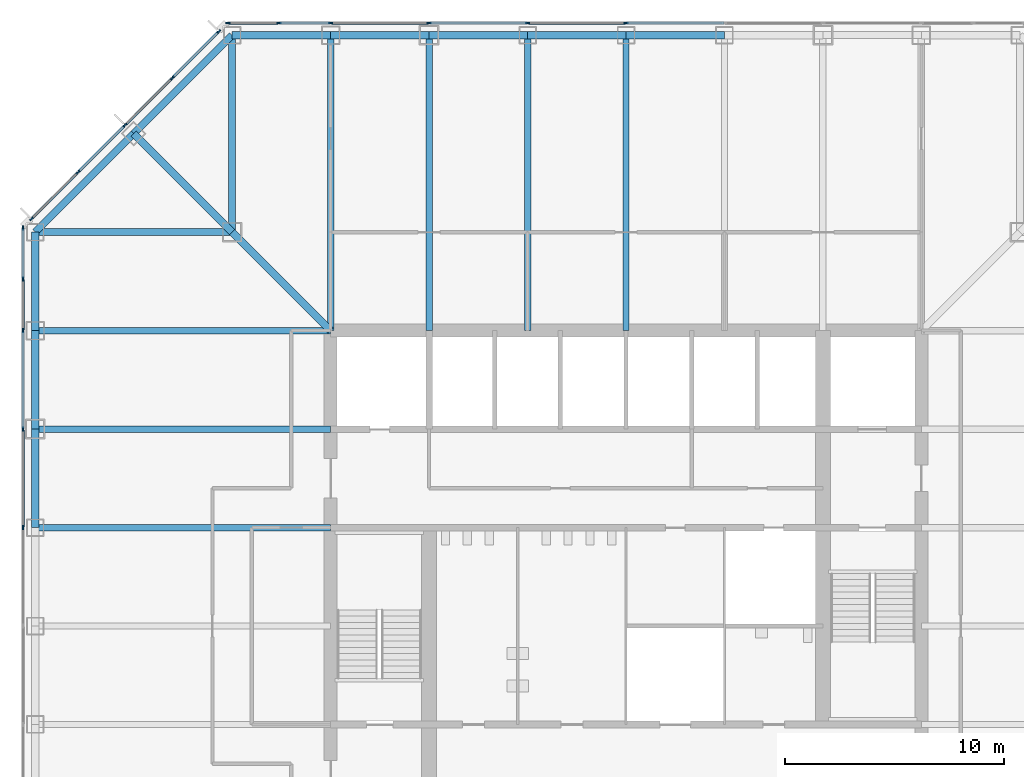
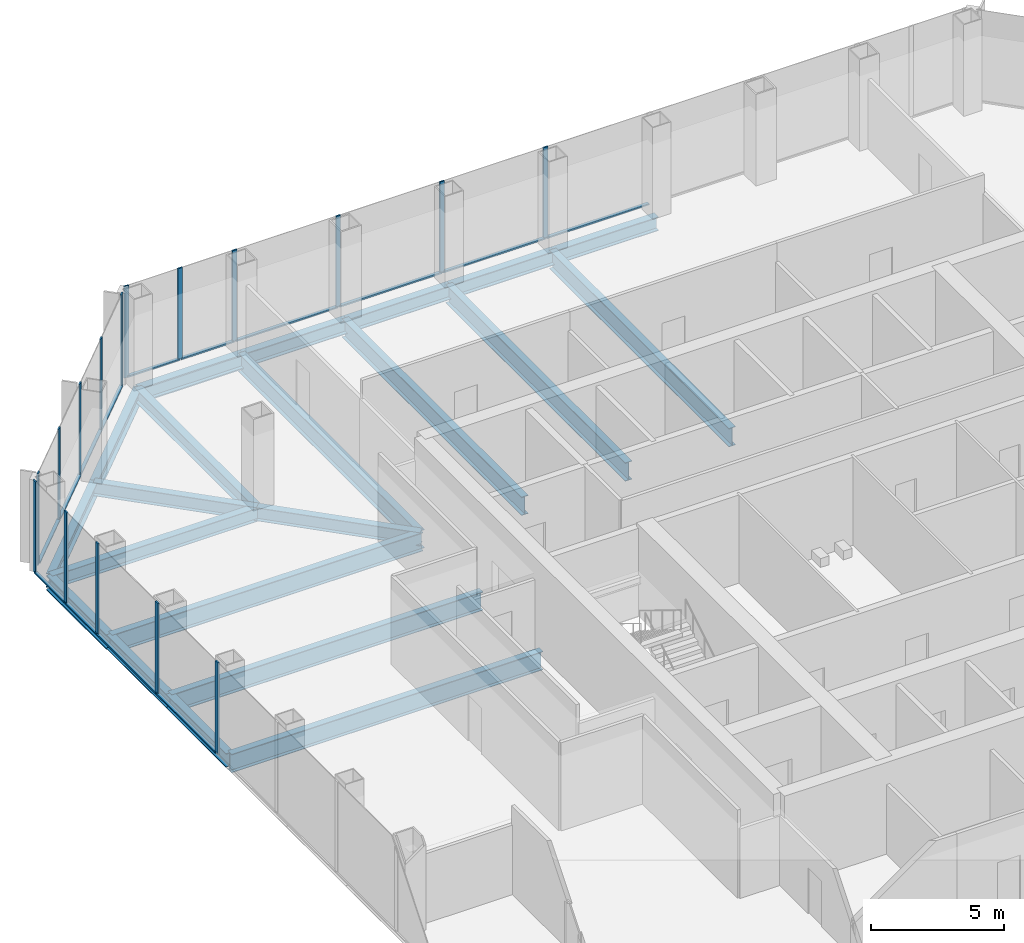
# One storey, part 5 of 12: 30 members, 21 beams, 3 elements without a shape of their own.
"""IFC4 building model written with IfcOpenShell, lengths in metres."""

from ifc_helpers import new_model, si_unit, direction, frame, origin, origin_2d, place, context, subcontext, project, spatial, rectangle, i_section, extrude, material, material_profile, profile_set, type_object, element, aggregate, save


model = new_model("IFC4")

# Units and contexts
model_context = context("Model", 3, precision=1e-05, world=origin(), true_north=direction((0.0, 1.0)))
body_context = subcontext(model_context, "Body", "Model", "MODEL_VIEW")
ifc_project = project(units=[si_unit("LENGTHUNIT", "METRE"), si_unit("AREAUNIT", "SQUARE_METRE"), si_unit("VOLUMEUNIT", "CUBIC_METRE"), si_unit("PLANEANGLEUNIT", "RADIAN"), si_unit("MASSUNIT", "GRAM", prefix="KILO")], contexts=[model_context])

# Site, building, storey
site_placement = place(None, origin())
site = spatial("IfcSite", under=ifc_project, at=site_placement, CompositionType="ELEMENT")
building_placement = place(site_placement, origin())
building = spatial("IfcBuilding", under=site, at=building_placement, Name="Corais Broadcast Tower", CompositionType="ELEMENT")
storey_placement = place(building_placement, frame((0.0, 0.0, 54.199951171875)))
storey = spatial("IfcBuildingStorey", under=building, at=storey_placement, Name="L11", CompositionType="ELEMENT", Elevation=54.199951171875)

# Beams
ifc_material_1 = material(Name="Steel ASTM A572 Grade 50", Category="steel")
ifc_material_profile_1 = material_profile(ifc_material_1, i_section(OverallWidth=0.323974609375, OverallDepth=0.611083984375, WebThickness=0.0126953125, FlangeThickness=0.01904296875, at=origin_2d()), Name="W610x155")
ifc_profile_set_1 = profile_set([ifc_material_profile_1], Name="Steel ASTM A572 Grade 50")
beam_type_1 = type_object("IfcBeamType", Name="Chamfer tie W610x155", PredefinedType="BEAM", material=ifc_profile_set_1)
beam_1_placement = place(storey_placement, frame((4.5, 49.5, -0.46533203125), z_axis=(0.707106781187, -0.707106781187, 0.0), x_axis=(0.707106781187, 0.707106781187, 0.0)))
element("IfcBeam", 1, at=beam_1_placement, inside=storey, type_object=beam_type_1, Name="B5 M/4 to L/5", PredefinedType="BEAM", context=body_context, shape_type="SweptSolid", body=[
    extrude(i_section(OverallWidth=0.323974609375, OverallDepth=0.611083984375, WebThickness=0.0126953125, FlangeThickness=0.01904296875, at=origin_2d()), origin(), (0.0, 0.0, 1.0), 6.364013671875),
])
ifc_material_2 = material(Name="Steel ASTM A572 Grade 50", Category="steel")
ifc_material_profile_2 = material_profile(ifc_material_2, i_section(OverallWidth=0.323974609375, OverallDepth=0.611083984375, WebThickness=0.0126953125, FlangeThickness=0.01904296875, at=origin_2d()), Name="W610x155")
ifc_profile_set_2 = profile_set([ifc_material_profile_2], Name="Steel ASTM A572 Grade 50")
beam_type_2 = type_object("IfcBeamType", Name="Corner diagonal W610x155", PredefinedType="BEAM", material=ifc_profile_set_2)
beam_2_placement = place(storey_placement, frame((9.0, 45.0, -0.46533203125), z_axis=(0.707106781187, -0.707106781187, 0.0), x_axis=(0.707106781187, 0.707106781187, 0.0)))
element("IfcBeam", 2, at=beam_2_placement, inside=storey, type_object=beam_type_2, Name="B6 L/5 to K/6", PredefinedType="BEAM", context=body_context, shape_type="SweptSolid", body=[
    extrude(i_section(OverallWidth=0.323974609375, OverallDepth=0.611083984375, WebThickness=0.0126953125, FlangeThickness=0.01904296875, at=origin_2d()), origin(), (0.0, 0.0, 1.0), 6.364013671875),
])
ifc_material_3 = material(Name="Steel ASTM A572 Grade 50", Category="steel")
ifc_material_profile_3 = material_profile(ifc_material_3, i_section(OverallWidth=0.323974609375, OverallDepth=0.611083984375, WebThickness=0.0126953125, FlangeThickness=0.01904296875, at=origin_2d()), Name="W610x155")
ifc_profile_set_3 = profile_set([ifc_material_profile_3], Name="Steel ASTM A572 Grade 50")
beam_type_3 = type_object("IfcBeamType", Name="Corner girder W610x155", PredefinedType="BEAM", material=ifc_profile_set_3)
for number, where, z_axis, x_axis, name in (
    (3, (0.0, 45.0, -0.46533203125), (1.0, 0.0, 0.0), (0.0, 1.0, 0.0), "B4 L/3 to L/5"),
    (4, (9.0, 54.0, -0.46533203125), (0.0, -1.0, 0.0), (1.0, 0.0, 0.0), "B4 N/5 to L/5"),
):
    element("IfcBeam", number, at=place(storey_placement, frame(where, z_axis=z_axis, x_axis=x_axis)), inside=storey, type_object=beam_type_3, Name=name, PredefinedType="BEAM", context=body_context, shape_type="SweptSolid", body=[
        extrude(i_section(OverallWidth=0.323974609375, OverallDepth=0.611083984375, WebThickness=0.0126953125, FlangeThickness=0.01904296875, at=origin_2d()), origin(), (0.0, 0.0, 1.0), 9.0),
    ])
ifc_material_4 = material(Name="Steel ASTM A572 Grade 50", Category="steel")
ifc_material_profile_4 = material_profile(ifc_material_4, i_section(OverallWidth=0.337890625, OverallDepth=0.677978515625, WebThickness=0.029541015625, FlangeThickness=0.052978515625, at=origin_2d()), Name="W610x415")
ifc_profile_set_4 = profile_set([ifc_material_profile_4], Name="Steel ASTM A572 Grade 50")
beam_type_4 = type_object("IfcBeamType", Name="Corner spandrel W610x415", PredefinedType="BEAM", material=ifc_profile_set_4)
for number, where, z_axis, x_axis, name in (
    (5, (0.0, 45.0, -0.4990234375), (0.0, -1.0, 0.0), (1.0, 0.0, 0.0), "SB10 L/3 to K/3"),
    (6, (13.5, 54.0, -0.4990234375), (-1.0, 0.0, 0.0), (0.0, -1.0, 0.0), "SB10 N/6 to N/5"),
):
    element("IfcBeam", number, at=place(storey_placement, frame(where, z_axis=z_axis, x_axis=x_axis)), inside=storey, type_object=beam_type_4, Name=name, PredefinedType="BEAM", context=body_context, shape_type="SweptSolid", body=[
        extrude(i_section(OverallWidth=0.337890625, OverallDepth=0.677978515625, WebThickness=0.029541015625, FlangeThickness=0.052978515625, at=origin_2d()), origin(), (0.0, 0.0, 1.0), 4.5),
    ])
ifc_material_5 = material(Name="Steel ASTM A572 Grade 50", Category="steel")
ifc_material_profile_5 = material_profile(ifc_material_5, i_section(OverallWidth=0.2939453125, OverallDepth=0.85107421875, WebThickness=0.01611328125, FlangeThickness=0.02685546875, at=origin_2d()), Name="W840x226")
ifc_profile_set_5 = profile_set([ifc_material_profile_5], Name="Steel ASTM A572 Grade 50")
beam_type_5 = type_object("IfcBeamType", Name="Floor beam W840x226", PredefinedType="BEAM", material=ifc_profile_set_5)
for number, where, z_axis, x_axis, name in (
    (7, (0.0, 31.5, -0.58544921875), (1.0, 0.0, 0.0), (0.0, 1.0, 0.0), "B1 H/3 to H/6"),
    (8, (0.0, 36.0, -0.58544921875), (1.0, 0.0, 0.0), (0.0, 1.0, 0.0), "B1 J/3 to J/6"),
    (9, (0.0, 40.5, -0.58544921875), (1.0, 0.0, 0.0), (0.0, 1.0, 0.0), "B1 K/3 to K/6"),
    (10, (13.5, 54.0, -0.58544921875), (0.0, -1.0, 0.0), (1.0, 0.0, 0.0), "B1 N/6 to K/6"),
    (11, (18.0, 54.0, -0.58544921875), (0.0, -1.0, 0.0), (1.0, 0.0, 0.0), "B1 N/7 to K/7"),
    (12, (22.5, 54.0, -0.58544921875), (0.0, -1.0, 0.0), (1.0, 0.0, 0.0), "B1 N/8 to K/8"),
    (13, (27.0, 54.0, -0.58544921875), (0.0, -1.0, 0.0), (1.0, 0.0, 0.0), "B1 N/9 to K/9"),
):
    element("IfcBeam", number, at=place(storey_placement, frame(where, z_axis=z_axis, x_axis=x_axis)), inside=storey, type_object=beam_type_5, Name=name, PredefinedType="BEAM", context=body_context, shape_type="SweptSolid", body=[
        extrude(i_section(OverallWidth=0.2939453125, OverallDepth=0.85107421875, WebThickness=0.01611328125, FlangeThickness=0.02685546875, at=origin_2d()), origin(), (0.0, 0.0, 1.0), 13.5),
    ])

# Curtain wall, members
ifc_material_6 = material(Name="Aluminium and glass", Category="aluminium")
curtain_wall_type = type_object("IfcCurtainWallType", Name="Unitised fritted curtain wall CW1", PredefinedType="NOTDEFINED", material=ifc_material_6)
curtain_wall_1_placement = place(storey_placement, origin())
curtain_wall_1 = element("IfcCurtainWall", 14, at=curtain_wall_1_placement, inside=storey, type_object=curtain_wall_type, Name="CW1 curtain wall L11 2", PredefinedType="NOTDEFINED")
ifc_material_7 = material(Name="Aluminium 6063-T6", Category="aluminium")
ifc_material_profile_6 = material_profile(ifc_material_7, rectangle(XDim=0.06494140625, YDim=0.199951171875, at=origin_2d()), Name="Mullion CW1 65x200")
ifc_profile_set_6 = profile_set([ifc_material_profile_6], Name="Aluminium 6063-T6")
member_type_1 = type_object("IfcMemberType", Name="Mullion CW1 65x200", PredefinedType="MULLION", material=ifc_profile_set_6)
member_1_placement = place(storey_placement, frame((-0.550048828125, 31.5, 0.0), z_axis=(0.0, 0.0, 1.0), x_axis=(-1.0, 0.0, 0.0)))
member_1 = element("IfcMember", 15, at=member_1_placement, type_object=member_type_1, Name="CW1 mullion 7", PredefinedType="MULLION", context=body_context, shape_type="SweptSolid", body=[
    extrude(rectangle(XDim=0.06494140625, YDim=0.199951171875, at=origin_2d()), origin(), (0.0, 0.0, 1.0), 4.199951171875),
])
member_2_placement = place(storey_placement, frame((-0.550048828125, 36.0, 0.0), z_axis=(0.0, 0.0, 1.0), x_axis=(-1.0, 0.0, 0.0)))
member_2 = element("IfcMember", 16, at=member_2_placement, type_object=member_type_1, Name="CW1 mullion 8", PredefinedType="MULLION", context=body_context, shape_type="SweptSolid", body=[
    extrude(rectangle(XDim=0.06494140625, YDim=0.199951171875, at=origin_2d()), origin(), (0.0, 0.0, 1.0), 4.199951171875),
])
member_3_placement = place(storey_placement, frame((-0.550048828125, 40.5, 0.0), z_axis=(0.0, 0.0, 1.0), x_axis=(-1.0, 0.0, 0.0)))
member_3 = element("IfcMember", 17, at=member_3_placement, type_object=member_type_1, Name="CW1 mullion 9", PredefinedType="MULLION", context=body_context, shape_type="SweptSolid", body=[
    extrude(rectangle(XDim=0.06494140625, YDim=0.199951171875, at=origin_2d()), origin(), (0.0, 0.0, 1.0), 4.199951171875),
])
member_4_placement = place(storey_placement, frame((-0.550048828125, 42.864013671875, 0.0), z_axis=(0.0, 0.0, 1.0), x_axis=(-1.0, 0.0, 0.0)))
member_4 = element("IfcMember", 18, at=member_4_placement, type_object=member_type_1, Name="CW1 mullion 10", PredefinedType="MULLION", context=body_context, shape_type="SweptSolid", body=[
    extrude(rectangle(XDim=0.06494140625, YDim=0.199951171875, at=origin_2d()), origin(), (0.0, 0.0, 1.0), 4.199951171875),
])
member_5_placement = place(storey_placement, frame((-0.550048828125, 45.1953125, 0.0), z_axis=(0.0, 0.0, 1.0), x_axis=(-1.0, 0.0, 0.0)))
member_5 = element("IfcMember", 19, at=member_5_placement, type_object=member_type_1, Name="CW1 mullion 11", PredefinedType="MULLION", context=body_context, shape_type="SweptSolid", body=[
    extrude(rectangle(XDim=0.06494140625, YDim=0.199951171875, at=origin_2d()), origin(), (0.0, 0.0, 1.0), 4.199951171875),
])

curtain_wall_2_placement = place(storey_placement, origin())
curtain_wall_2 = element("IfcCurtainWall", 20, at=curtain_wall_2_placement, inside=storey, type_object=curtain_wall_type, Name="CW1 curtain wall L11 3", PredefinedType="NOTDEFINED")
member_6_placement = place(storey_placement, frame((-0.17333984375, 45.6044921875, 0.0), z_axis=(0.0, 0.0, 1.0), x_axis=(-0.707106781187, 0.707106781187, 0.0)))
member_6 = element("IfcMember", 21, at=member_6_placement, type_object=member_type_1, Name="CW1 mullion 1", PredefinedType="MULLION", context=body_context, shape_type="SweptSolid", body=[
    extrude(rectangle(XDim=0.06494140625, YDim=0.199951171875, at=origin_2d()), origin(), (0.0, 0.0, 1.0), 4.199951171875),
])
member_7_placement = place(storey_placement, frame((1.957275390625, 47.735107421875, 0.0), z_axis=(0.0, 0.0, 1.0), x_axis=(-0.707106781187, 0.707106781187, 0.0)))
member_7 = element("IfcMember", 22, at=member_7_placement, type_object=member_type_1, Name="CW1 mullion 2", PredefinedType="MULLION", context=body_context, shape_type="SweptSolid", body=[
    extrude(rectangle(XDim=0.06494140625, YDim=0.199951171875, at=origin_2d()), origin(), (0.0, 0.0, 1.0), 4.199951171875),
])
member_8_placement = place(storey_placement, frame((4.111083984375, 49.888916015625, 0.0), z_axis=(0.0, 0.0, 1.0), x_axis=(-0.707106781187, 0.707106781187, 0.0)))
member_8 = element("IfcMember", 23, at=member_8_placement, type_object=member_type_1, Name="CW1 mullion 3", PredefinedType="MULLION", context=body_context, shape_type="SweptSolid", body=[
    extrude(rectangle(XDim=0.06494140625, YDim=0.199951171875, at=origin_2d()), origin(), (0.0, 0.0, 1.0), 4.199951171875),
])
member_9_placement = place(storey_placement, frame((6.264892578125, 52.042724609375, 0.0), z_axis=(0.0, 0.0, 1.0), x_axis=(-0.707106781187, 0.707106781187, 0.0)))
member_9 = element("IfcMember", 24, at=member_9_placement, type_object=member_type_1, Name="CW1 mullion 4", PredefinedType="MULLION", context=body_context, shape_type="SweptSolid", body=[
    extrude(rectangle(XDim=0.06494140625, YDim=0.199951171875, at=origin_2d()), origin(), (0.0, 0.0, 1.0), 4.199951171875),
])
member_10_placement = place(storey_placement, frame((8.3955078125, 54.17333984375, 0.0), z_axis=(0.0, 0.0, 1.0), x_axis=(-0.707106781187, 0.707106781187, 0.0)))
member_10 = element("IfcMember", 25, at=member_10_placement, type_object=member_type_1, Name="CW1 mullion 5", PredefinedType="MULLION", context=body_context, shape_type="SweptSolid", body=[
    extrude(rectangle(XDim=0.06494140625, YDim=0.199951171875, at=origin_2d()), origin(), (0.0, 0.0, 1.0), 4.199951171875),
])

curtain_wall_3_placement = place(storey_placement, origin())
curtain_wall_3 = element("IfcCurtainWall", 26, at=curtain_wall_3_placement, inside=storey, type_object=curtain_wall_type, Name="CW1 curtain wall L11 4", PredefinedType="NOTDEFINED")
member_11_placement = place(storey_placement, frame((8.8046875, 54.550048828125, 0.0), z_axis=(0.0, 0.0, 1.0), x_axis=(0.0, 1.0, 0.0)))
member_11 = element("IfcMember", 27, at=member_11_placement, type_object=member_type_1, Name="CW1 mullion 1", PredefinedType="MULLION", context=body_context, shape_type="SweptSolid", body=[
    extrude(rectangle(XDim=0.06494140625, YDim=0.199951171875, at=origin_2d()), origin(), (0.0, 0.0, 1.0), 4.199951171875),
])
member_12_placement = place(storey_placement, frame((11.135986328125, 54.550048828125, 0.0), z_axis=(0.0, 0.0, 1.0), x_axis=(0.0, 1.0, 0.0)))
member_12 = element("IfcMember", 28, at=member_12_placement, type_object=member_type_1, Name="CW1 mullion 2", PredefinedType="MULLION", context=body_context, shape_type="SweptSolid", body=[
    extrude(rectangle(XDim=0.06494140625, YDim=0.199951171875, at=origin_2d()), origin(), (0.0, 0.0, 1.0), 4.199951171875),
])
member_13_placement = place(storey_placement, frame((13.5, 54.550048828125, 0.0), z_axis=(0.0, 0.0, 1.0), x_axis=(0.0, 1.0, 0.0)))
member_13 = element("IfcMember", 29, at=member_13_placement, type_object=member_type_1, Name="CW1 mullion 3", PredefinedType="MULLION", context=body_context, shape_type="SweptSolid", body=[
    extrude(rectangle(XDim=0.06494140625, YDim=0.199951171875, at=origin_2d()), origin(), (0.0, 0.0, 1.0), 4.199951171875),
])
member_14_placement = place(storey_placement, frame((18.0, 54.550048828125, 0.0), z_axis=(0.0, 0.0, 1.0), x_axis=(0.0, 1.0, 0.0)))
member_14 = element("IfcMember", 30, at=member_14_placement, type_object=member_type_1, Name="CW1 mullion 4", PredefinedType="MULLION", context=body_context, shape_type="SweptSolid", body=[
    extrude(rectangle(XDim=0.06494140625, YDim=0.199951171875, at=origin_2d()), origin(), (0.0, 0.0, 1.0), 4.199951171875),
])
member_15_placement = place(storey_placement, frame((22.5, 54.550048828125, 0.0), z_axis=(0.0, 0.0, 1.0), x_axis=(0.0, 1.0, 0.0)))
member_15 = element("IfcMember", 31, at=member_15_placement, type_object=member_type_1, Name="CW1 mullion 5", PredefinedType="MULLION", context=body_context, shape_type="SweptSolid", body=[
    extrude(rectangle(XDim=0.06494140625, YDim=0.199951171875, at=origin_2d()), origin(), (0.0, 0.0, 1.0), 4.199951171875),
])
member_16_placement = place(storey_placement, frame((27.0, 54.550048828125, 0.0), z_axis=(0.0, 0.0, 1.0), x_axis=(0.0, 1.0, 0.0)))
member_16 = element("IfcMember", 32, at=member_16_placement, type_object=member_type_1, Name="CW1 mullion 6", PredefinedType="MULLION", context=body_context, shape_type="SweptSolid", body=[
    extrude(rectangle(XDim=0.06494140625, YDim=0.199951171875, at=origin_2d()), origin(), (0.0, 0.0, 1.0), 4.199951171875),
])

# Beams
ifc_material_8 = material(Name="Steel ASTM A572 Grade 50", Category="steel")
ifc_material_profile_7 = material_profile(ifc_material_8, i_section(OverallWidth=0.3291015625, OverallDepth=0.635009765625, WebThickness=0.017822265625, FlangeThickness=0.031005859375, at=origin_2d()), Name="W610x241")
ifc_profile_set_7 = profile_set([ifc_material_profile_7], Name="Steel ASTM A572 Grade 50")
beam_type_6 = type_object("IfcBeamType", Name="Spandrel W610x241", PredefinedType="BEAM", material=ifc_profile_set_7)
for number, where, z_axis, x_axis, name in (
    (33, (0.0, 36.0, -0.4775390625), (0.0, -1.0, 0.0), (1.0, 0.0, 0.0), "SB1 J/3 to H/3"),
    (34, (0.0, 40.5, -0.4775390625), (0.0, -1.0, 0.0), (1.0, 0.0, 0.0), "SB1 K/3 to J/3"),
    (35, (18.0, 54.0, -0.4775390625), (-1.0, 0.0, 0.0), (0.0, -1.0, 0.0), "SB1 N/7 to N/6"),
    (36, (22.5, 54.0, -0.4775390625), (-1.0, 0.0, 0.0), (0.0, -1.0, 0.0), "SB1 N/8 to N/7"),
    (37, (27.0, 54.0, -0.4775390625), (-1.0, 0.0, 0.0), (0.0, -1.0, 0.0), "SB1 N/9 to N/8"),
    (38, (31.5, 54.0, -0.4775390625), (-1.0, 0.0, 0.0), (0.0, -1.0, 0.0), "SB1 N/10 to N/9"),
):
    element("IfcBeam", number, at=place(storey_placement, frame(where, z_axis=z_axis, x_axis=x_axis)), inside=storey, type_object=beam_type_6, Name=name, PredefinedType="BEAM", context=body_context, shape_type="SweptSolid", body=[
        extrude(i_section(OverallWidth=0.3291015625, OverallDepth=0.635009765625, WebThickness=0.017822265625, FlangeThickness=0.031005859375, at=origin_2d()), origin(), (0.0, 0.0, 1.0), 4.5),
    ])
for number, where, z_axis, x_axis, name in (
    (39, (4.5, 49.5, -0.4775390625), (-0.707106781187, -0.707106781187, 0.0), (0.707106781187, -0.707106781187, 0.0), "SB1 M/4 to L/3"),
    (40, (9.0, 54.0, -0.4775390625), (-0.707106781187, -0.707106781187, 0.0), (0.707106781187, -0.707106781187, 0.0), "SB1 N/5 to M/4"),
):
    element("IfcBeam", number, at=place(storey_placement, frame(where, z_axis=z_axis, x_axis=x_axis)), inside=storey, type_object=beam_type_6, Name=name, PredefinedType="BEAM", context=body_context, shape_type="SweptSolid", body=[
        extrude(i_section(OverallWidth=0.3291015625, OverallDepth=0.635009765625, WebThickness=0.017822265625, FlangeThickness=0.031005859375, at=origin_2d()), origin(), (0.0, 0.0, 1.0), 6.364013671875),
    ])

# Member
ifc_material_9 = material(Name="Aluminium 6063-T6", Category="aluminium")
ifc_material_profile_8 = material_profile(ifc_material_9, rectangle(XDim=0.139892578125, YDim=0.06494140625, at=origin_2d()), Name="Transom CW1 65x140")
ifc_profile_set_8 = profile_set([ifc_material_profile_8], Name="Aluminium 6063-T6")
member_type_2 = type_object("IfcMemberType", Name="Transom CW1 65x140", PredefinedType="USERDEFINED", material=ifc_profile_set_8)
member_17_placement = place(storey_placement, frame((-0.550048828125, 31.532470703125, 0.032470703125), z_axis=(0.0, 1.0, 0.0), x_axis=(-1.0, 0.0, 0.0)))
member_17 = element("IfcMember", 41, at=member_17_placement, type_object=member_type_2, Name="CW1 transom 7.1", ObjectType="TRANSOM", PredefinedType="USERDEFINED", context=body_context, shape_type="SweptSolid", body=[
    extrude(rectangle(XDim=0.139892578125, YDim=0.06494140625, at=origin_2d()), origin(), (0.0, 0.0, 1.0), 4.43505859375),
])

member_18_placement = place(storey_placement, frame((-0.550048828125, 36.032470703125, 0.032470703125), z_axis=(0.0, 1.0, 0.0), x_axis=(-1.0, 0.0, 0.0)))
member_18 = element("IfcMember", 42, at=member_18_placement, type_object=member_type_2, Name="CW1 transom 8.1", ObjectType="TRANSOM", PredefinedType="USERDEFINED", context=body_context, shape_type="SweptSolid", body=[
    extrude(rectangle(XDim=0.139892578125, YDim=0.06494140625, at=origin_2d()), origin(), (0.0, 0.0, 1.0), 4.43505859375),
])

member_19_placement = place(storey_placement, frame((-0.550048828125, 40.532470703125, 0.032470703125), z_axis=(0.0, 1.0, 0.0), x_axis=(-1.0, 0.0, 0.0)))
member_19 = element("IfcMember", 43, at=member_19_placement, type_object=member_type_2, Name="CW1 transom 9.1", ObjectType="TRANSOM", PredefinedType="USERDEFINED", context=body_context, shape_type="SweptSolid", body=[
    extrude(rectangle(XDim=0.139892578125, YDim=0.06494140625, at=origin_2d()), origin(), (0.0, 0.0, 1.0), 2.298828125),
])

member_20_placement = place(storey_placement, frame((-0.550048828125, 42.896484375, 0.032470703125), z_axis=(0.0, 1.0, 0.0), x_axis=(-1.0, 0.0, 0.0)))
member_20 = element("IfcMember", 44, at=member_20_placement, type_object=member_type_2, Name="CW1 transom 10.1", ObjectType="TRANSOM", PredefinedType="USERDEFINED", context=body_context, shape_type="SweptSolid", body=[
    extrude(rectangle(XDim=0.139892578125, YDim=0.06494140625, at=origin_2d()), origin(), (0.0, 0.0, 1.0), 2.266357421875),
])

aggregate(curtain_wall_1, [member_1, member_2, member_3, member_4, member_5, member_17, member_18, member_19, member_20])

member_21_placement = place(storey_placement, frame((-0.150390625, 45.62744140625, 0.032470703125), z_axis=(0.707106781187, 0.707106781187, 0.0), x_axis=(-0.707106781187, 0.707106781187, 0.0)))
member_21 = element("IfcMember", 45, at=member_21_placement, type_object=member_type_2, Name="CW1 transom 1.1", ObjectType="TRANSOM", PredefinedType="USERDEFINED", context=body_context, shape_type="SweptSolid", body=[
    extrude(rectangle(XDim=0.139892578125, YDim=0.06494140625, at=origin_2d()), origin(), (0.0, 0.0, 1.0), 2.9482421875),
])

member_22_placement = place(storey_placement, frame((1.980224609375, 47.758056640625, 0.032470703125), z_axis=(0.707106781187, 0.707106781187, 0.0), x_axis=(-0.707106781187, 0.707106781187, 0.0)))
member_22 = element("IfcMember", 46, at=member_22_placement, type_object=member_type_2, Name="CW1 transom 2.1", ObjectType="TRANSOM", PredefinedType="USERDEFINED", context=body_context, shape_type="SweptSolid", body=[
    extrude(rectangle(XDim=0.139892578125, YDim=0.06494140625, at=origin_2d()), origin(), (0.0, 0.0, 1.0), 2.98095703125),
])

member_23_placement = place(storey_placement, frame((4.134033203125, 49.911865234375, 0.032470703125), z_axis=(0.707106781187, 0.707106781187, 0.0), x_axis=(-0.707106781187, 0.707106781187, 0.0)))
member_23 = element("IfcMember", 47, at=member_23_placement, type_object=member_type_2, Name="CW1 transom 3.1", ObjectType="TRANSOM", PredefinedType="USERDEFINED", context=body_context, shape_type="SweptSolid", body=[
    extrude(rectangle(XDim=0.139892578125, YDim=0.06494140625, at=origin_2d()), origin(), (0.0, 0.0, 1.0), 2.98095703125),
])

member_24_placement = place(storey_placement, frame((6.287841796875, 52.065673828125, 0.032470703125), z_axis=(0.707106781187, 0.707106781187, 0.0), x_axis=(-0.707106781187, 0.707106781187, 0.0)))
member_24 = element("IfcMember", 48, at=member_24_placement, type_object=member_type_2, Name="CW1 transom 4.1", ObjectType="TRANSOM", PredefinedType="USERDEFINED", context=body_context, shape_type="SweptSolid", body=[
    extrude(rectangle(XDim=0.139892578125, YDim=0.06494140625, at=origin_2d()), origin(), (0.0, 0.0, 1.0), 2.9482421875),
])

aggregate(curtain_wall_2, [member_6, member_7, member_8, member_9, member_10, member_21, member_22, member_23, member_24])

member_25_placement = place(storey_placement, frame((8.837158203125, 54.550048828125, 0.032470703125), z_axis=(1.0, 0.0, 0.0), x_axis=(0.0, 1.0, 0.0)))
member_25 = element("IfcMember", 49, at=member_25_placement, type_object=member_type_2, Name="CW1 transom 1.1", ObjectType="TRANSOM", PredefinedType="USERDEFINED", context=body_context, shape_type="SweptSolid", body=[
    extrude(rectangle(XDim=0.139892578125, YDim=0.06494140625, at=origin_2d()), origin(), (0.0, 0.0, 1.0), 2.266357421875),
])

member_26_placement = place(storey_placement, frame((11.168701171875, 54.550048828125, 0.032470703125), z_axis=(1.0, 0.0, 0.0), x_axis=(0.0, 1.0, 0.0)))
member_26 = element("IfcMember", 50, at=member_26_placement, type_object=member_type_2, Name="CW1 transom 2.1", ObjectType="TRANSOM", PredefinedType="USERDEFINED", context=body_context, shape_type="SweptSolid", body=[
    extrude(rectangle(XDim=0.139892578125, YDim=0.06494140625, at=origin_2d()), origin(), (0.0, 0.0, 1.0), 2.298828125),
])

member_27_placement = place(storey_placement, frame((13.532470703125, 54.550048828125, 0.032470703125), z_axis=(1.0, 0.0, 0.0), x_axis=(0.0, 1.0, 0.0)))
member_27 = element("IfcMember", 51, at=member_27_placement, type_object=member_type_2, Name="CW1 transom 3.1", ObjectType="TRANSOM", PredefinedType="USERDEFINED", context=body_context, shape_type="SweptSolid", body=[
    extrude(rectangle(XDim=0.139892578125, YDim=0.06494140625, at=origin_2d()), origin(), (0.0, 0.0, 1.0), 4.43505859375),
])

member_28_placement = place(storey_placement, frame((18.032470703125, 54.550048828125, 0.032470703125), z_axis=(1.0, 0.0, 0.0), x_axis=(0.0, 1.0, 0.0)))
member_28 = element("IfcMember", 52, at=member_28_placement, type_object=member_type_2, Name="CW1 transom 4.1", ObjectType="TRANSOM", PredefinedType="USERDEFINED", context=body_context, shape_type="SweptSolid", body=[
    extrude(rectangle(XDim=0.139892578125, YDim=0.06494140625, at=origin_2d()), origin(), (0.0, 0.0, 1.0), 4.43505859375),
])

member_29_placement = place(storey_placement, frame((22.532470703125, 54.550048828125, 0.032470703125), z_axis=(1.0, 0.0, 0.0), x_axis=(0.0, 1.0, 0.0)))
member_29 = element("IfcMember", 53, at=member_29_placement, type_object=member_type_2, Name="CW1 transom 5.1", ObjectType="TRANSOM", PredefinedType="USERDEFINED", context=body_context, shape_type="SweptSolid", body=[
    extrude(rectangle(XDim=0.139892578125, YDim=0.06494140625, at=origin_2d()), origin(), (0.0, 0.0, 1.0), 4.43505859375),
])

member_30_placement = place(storey_placement, frame((27.032470703125, 54.550048828125, 0.032470703125), z_axis=(1.0, 0.0, 0.0), x_axis=(0.0, 1.0, 0.0)))
member_30 = element("IfcMember", 54, at=member_30_placement, type_object=member_type_2, Name="CW1 transom 6.1", ObjectType="TRANSOM", PredefinedType="USERDEFINED", context=body_context, shape_type="SweptSolid", body=[
    extrude(rectangle(XDim=0.139892578125, YDim=0.06494140625, at=origin_2d()), origin(), (0.0, 0.0, 1.0), 4.43505859375),
])

aggregate(curtain_wall_3, [member_11, member_12, member_13, member_14, member_15, member_16, member_25, member_26, member_27, member_28, member_29, member_30])

save(model, "model.ifc")
